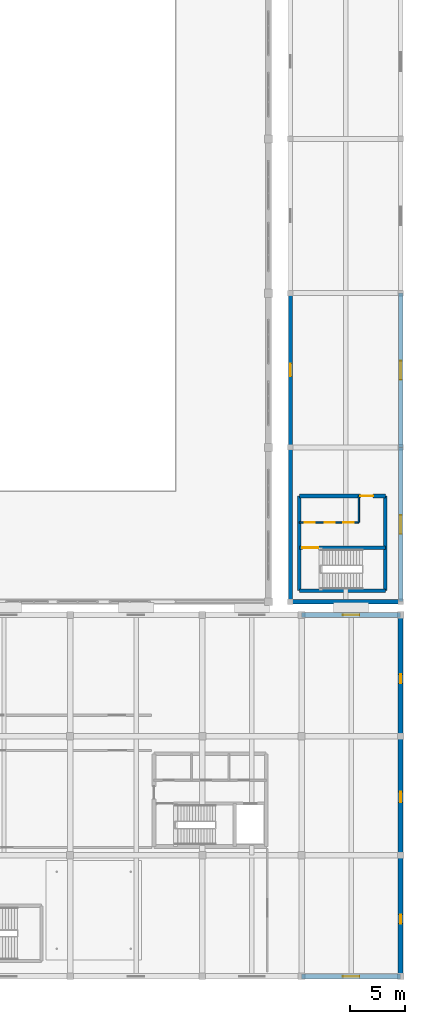
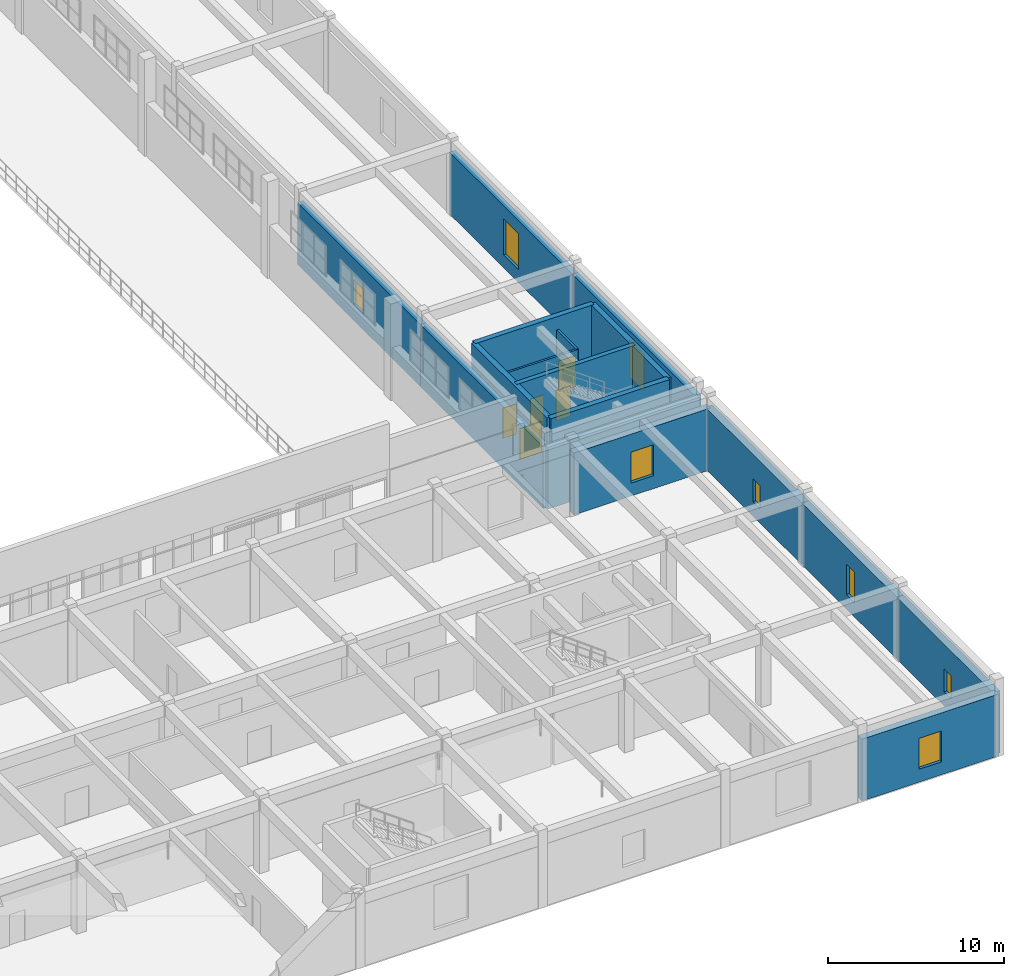
# One storey, part 178 of 197: 17 walls, 8 windows, 5 doors, 13 openings.
"""IFC4 building model written with IfcOpenShell, lengths in metres."""

from ifc_helpers import new_model, si_unit, derived_unit, direction, frame, frame_2d, origin, place, context, subcontext, project, spatial, rectangle, extrude, material, layer, layer_set, type_object, element, fill, save


model = new_model("IFC4")

# Units and contexts
model_context = context("Model", 3, precision=1e-05, world=origin(), true_north=direction((0.0, 1.0)))
body_context = subcontext(model_context, "Body", "Model", "MODEL_VIEW")
ifc_project = project(units=[si_unit("LENGTHUNIT", "METRE"), si_unit("AREAUNIT", "SQUARE_METRE"), si_unit("VOLUMEUNIT", "CUBIC_METRE"), si_unit("PLANEANGLEUNIT", "RADIAN"), si_unit("MASSUNIT", "GRAM", prefix="KILO"), derived_unit("THERMALTRANSMITTANCEUNIT", [(si_unit("POWERUNIT", "WATT"), 1), (si_unit("LENGTHUNIT", "METRE"), -2), (si_unit("THERMODYNAMICTEMPERATUREUNIT", "KELVIN"), -1)])], contexts=[model_context])

# Site, building, storey
site_placement = place(None, origin())
site = spatial("IfcSite", under=ifc_project, at=site_placement, CompositionType="ELEMENT")
building_placement = place(site_placement, origin())
building = spatial("IfcBuilding", under=site, at=building_placement, Name="Almenara Railside Exhibition Hall", CompositionType="ELEMENT")
storey_placement = place(building_placement, frame((0.0, 0.0, 5.39990234375)))
storey = spatial("IfcBuildingStorey", under=building, at=storey_placement, Name="L01", CompositionType="ELEMENT", Elevation=5.39990234375)

# Wall
ifc_material_1 = material(Name="Concrete C35/45", Category="concrete")
ifc_layer_1 = layer(ifc_material_1, 0.35009765625, Name="Concrete C35/45")
ifc_layer_set_1 = layer_set([ifc_layer_1], Name="Concrete C35/45")
wall_type_1 = type_object("IfcWallType", Name="Core Coupled Shear Wall 350mm C35/45", PredefinedType="SHEAR", material=ifc_layer_set_1)
wall_1_placement = place(storey_placement, frame((194.800048828125, 35.0, 0.0), z_axis=(0.0, 0.0, 1.0), x_axis=(1.0, 0.0, 0.0)))
element("IfcWall", 1, at=wall_1_placement, inside=storey, type_object=wall_type_1, Name="Interior wall 0251", PredefinedType="SHEAR", context=body_context, shape_type="SweptSolid", body=[
    extrude(rectangle(XDim=7.800048828125, YDim=0.35009765625, at=frame_2d((3.89990234375, 0.0))), origin(), (0.0, 0.0, 1.0), 5.400146484375),
])

# Wall, opening, door
wall_2_placement = place(storey_placement, frame((202.60009765625, 43.60009765625, 0.0), z_axis=(0.0, 0.0, 1.0), x_axis=(-1.0, 0.0, 0.0)))
wall_2 = element("IfcWall", 2, at=wall_2_placement, inside=storey, type_object=wall_type_1, Name="Interior wall 0252", PredefinedType="SHEAR", context=body_context, shape_type="SweptSolid", body=[
    extrude(rectangle(XDim=7.800048828125, YDim=0.35009765625, at=frame_2d((3.89990234375, 0.0))), origin(), (0.0, 0.0, 1.0), 5.400146484375),
])
opening_1_placement = place(wall_2_placement, frame((1.10009765625, 0.0, 0.0)))
opening_1 = element("IfcOpeningElement", 3, at=opening_1_placement, cuts=wall_2, Name="Opening FD-115", PredefinedType="OPENING", context=body_context, shape_type="SweptSolid", body=[
    extrude(rectangle(XDim=1.14990234375, YDim=2.14990234375, at=frame_2d((0.574951171875, 1.074951171875))), frame((0.0, 0.18505859375, 0.0), z_axis=(0.0, -1.0, 0.0), x_axis=(1.0, 0.0, 0.0)), (0.0, 0.0, 1.0), 0.3701171875),
])
ifc_material_2 = material(Name="Fire-rated iroko timber door", Category="wood")
door_type_1 = type_object("IfcDoorType", Name="Core Lobby Fire Door 1150x2150 EI60", OperationType="NOTDEFINED", PredefinedType="DOOR", material=ifc_material_2)
door_1_placement = place(opening_1_placement, origin())
door_1 = element("IfcDoor", 4, at=door_1_placement, inside=storey, type_object=door_type_1, Name="Interior door FD-115-168", OperationType="SINGLE_SWING_LEFT", OverallHeight=2.14990234375, OverallWidth=1.14990234375, PredefinedType="DOOR", context=body_context, shape_type="SweptSolid", body=[
    extrude(rectangle(XDim=1.14990234375, YDim=2.14990234375, at=frame_2d((0.574951171875, 1.074951171875))), frame((0.0, 0.02490234375, 0.0), z_axis=(0.0, -1.0, 0.0), x_axis=(1.0, 0.0, 0.0)), (0.0, 0.0, 1.0), 0.050048828125),
])
fill(opening_1, door_1)

# Walls
for number, where, z_axis, x_axis, name in (
    (5, (194.800048828125, 43.60009765625, 0.0), (0.0, 0.0, 1.0), (0.0, -1.0, 0.0), "Interior wall 0253"),
    (6, (202.60009765625, 35.0, 0.0), (0.0, 0.0, 1.0), (0.0, 1.0, 0.0), "Interior wall 0254"),
):
    element("IfcWall", number, at=place(storey_placement, frame(where, z_axis=z_axis, x_axis=x_axis)), inside=storey, type_object=wall_type_1, Name=name, PredefinedType="SHEAR", context=body_context, shape_type="SweptSolid", body=[
        extrude(rectangle(XDim=8.60009765625, YDim=0.35009765625, at=frame_2d((4.300048828125, 0.0))), origin(), (0.0, 0.0, 1.0), 5.400146484375),
    ])

# Wall, opening, window
ifc_material_3 = material(Name="Ochre-white lime-rendered masonry over Concrete C35/45", Category="masonry")
ifc_layer_2 = layer(ifc_material_3, 0.385009765625, Name="Ochre-white lime-rendered masonry over Concrete C35/45")
ifc_layer_set_2 = layer_set([ifc_layer_2], Name="Ochre-white lime-rendered masonry over Concrete C35/45")
wall_type_2 = type_object("IfcWallType", Name="Exterior Arcade Spandrel Wall 385mm C35/45", PredefinedType="SOLIDWALL", material=ifc_layer_set_2)
wall_3_placement = place(storey_placement, frame((204.0, 34.0, 0.0), z_axis=(0.0, 0.0, 1.0), x_axis=(0.0, 1.0, 0.0)))
wall_3 = element("IfcWall", 7, at=wall_3_placement, inside=storey, type_object=wall_type_2, Name="Exterior wall 0230", PredefinedType="SOLIDWALL", context=body_context, shape_type="SweptSolid", body=[
    extrude(rectangle(XDim=14.0, YDim=0.385009765625, at=frame_2d((7.0, 0.0))), origin(), (0.0, 0.0, 1.0), 4.300048828125),
])
opening_2_placement = place(wall_3_placement, frame((6.14990234375, 0.0, 0.89990234375)))
opening_2 = element("IfcOpeningElement", 8, at=opening_2_placement, cuts=wall_3, Name="Opening W-06", PredefinedType="OPENING", context=body_context, shape_type="SweptSolid", body=[
    extrude(rectangle(XDim=1.699951171875, YDim=2.5, at=frame_2d((0.85009765625, 1.25))), frame((0.0, 0.202392578125, 0.0), z_axis=(0.0, -1.0, 0.0), x_axis=(1.0, 0.0, 0.0)), (0.0, 0.0, 1.0), 0.405029296875),
])
ifc_material_4 = material(Name="Bronze-anodised aluminium and low-E double glazing", Category="aluminium")
window_type_1 = type_object("IfcWindowType", Name="East Gallery Arched Window 1700x2500", PartitioningType="DOUBLE_PANEL_VERTICAL", PredefinedType="WINDOW", material=ifc_material_4)
window_1_placement = place(opening_2_placement, origin())
window_1 = element("IfcWindow", 9, at=window_1_placement, inside=storey, type_object=window_type_1, Name="Window 0082", OverallHeight=2.5, OverallWidth=1.699951171875, PartitioningType="DOUBLE_PANEL_VERTICAL", PredefinedType="WINDOW", context=body_context, shape_type="SweptSolid", body=[
    extrude(rectangle(XDim=1.699951171875, YDim=2.5, at=frame_2d((0.85009765625, 1.25))), frame((0.0, 0.030029296875, 0.0), z_axis=(0.0, -1.0, 0.0), x_axis=(1.0, 0.0, 0.0)), (0.0, 0.0, 1.0), 0.06005859375),
])
fill(opening_2, window_1)

# Wall
wall_4_placement = place(storey_placement, frame((194.0, 48.0, 0.0), z_axis=(0.0, 0.0, 1.0), x_axis=(0.0, -1.0, 0.0)))
element("IfcWall", 10, at=wall_4_placement, inside=storey, type_object=wall_type_2, Name="Exterior wall 0231", PredefinedType="SOLIDWALL", context=body_context, shape_type="SweptSolid", body=[
    extrude(rectangle(XDim=14.0, YDim=0.385009765625, at=frame_2d((7.0, 0.0))), origin(), (0.0, 0.0, 1.0), 4.300048828125),
])

# Wall, opening, window
wall_5_placement = place(storey_placement, frame((204.0, 48.0, 0.0), z_axis=(0.0, 0.0, 1.0), x_axis=(0.0, 1.0, 0.0)))
wall_5 = element("IfcWall", 11, at=wall_5_placement, inside=storey, type_object=wall_type_2, Name="Exterior wall 0232", PredefinedType="SOLIDWALL", context=body_context, shape_type="SweptSolid", body=[
    extrude(rectangle(XDim=14.0, YDim=0.385009765625, at=frame_2d((7.0, 0.0))), origin(), (0.0, 0.0, 1.0), 4.300048828125),
])
opening_3_placement = place(wall_5_placement, frame((6.14990234375, 0.0, 0.89990234375)))
opening_3 = element("IfcOpeningElement", 12, at=opening_3_placement, cuts=wall_5, Name="Opening W-06", PredefinedType="OPENING", context=body_context, shape_type="SweptSolid", body=[
    extrude(rectangle(XDim=1.699951171875, YDim=2.5, at=frame_2d((0.85009765625, 1.25))), frame((0.0, 0.202392578125, 0.0), z_axis=(0.0, -1.0, 0.0), x_axis=(1.0, 0.0, 0.0)), (0.0, 0.0, 1.0), 0.405029296875),
])
window_2_placement = place(opening_3_placement, origin())
window_2 = element("IfcWindow", 13, at=window_2_placement, inside=storey, type_object=window_type_1, Name="Window 0083", OverallHeight=2.5, OverallWidth=1.699951171875, PartitioningType="DOUBLE_PANEL_VERTICAL", PredefinedType="WINDOW", context=body_context, shape_type="SweptSolid", body=[
    extrude(rectangle(XDim=1.699951171875, YDim=2.5, at=frame_2d((0.85009765625, 1.25))), frame((0.0, 0.030029296875, 0.0), z_axis=(0.0, -1.0, 0.0), x_axis=(1.0, 0.0, 0.0)), (0.0, 0.0, 1.0), 0.06005859375),
])
fill(opening_3, window_2)

wall_6_placement = place(storey_placement, frame((194.0, 62.0, 0.0), z_axis=(0.0, 0.0, 1.0), x_axis=(0.0, -1.0, 0.0)))
wall_6 = element("IfcWall", 14, at=wall_6_placement, inside=storey, type_object=wall_type_2, Name="Exterior wall 0233", PredefinedType="SOLIDWALL", context=body_context, shape_type="SweptSolid", body=[
    extrude(rectangle(XDim=14.0, YDim=0.385009765625, at=frame_2d((7.0, 0.0))), origin(), (0.0, 0.0, 1.0), 4.300048828125),
])
opening_4_placement = place(wall_6_placement, frame((6.39990234375, 0.0, 1.10009765625)))
opening_4 = element("IfcOpeningElement", 15, at=opening_4_placement, cuts=wall_6, Name="Opening W-11", PredefinedType="OPENING", context=body_context, shape_type="SweptSolid", body=[
    extrude(rectangle(XDim=1.14990234375, YDim=1.699951171875, at=frame_2d((0.574951171875, 0.85009765625))), frame((0.0, 0.202392578125, 0.0), z_axis=(0.0, -1.0, 0.0), x_axis=(1.0, 0.0, 0.0)), (0.0, 0.0, 1.0), 0.405029296875),
])
window_type_2 = type_object("IfcWindowType", Name="South Gallery Punched Window 1150x1700", PartitioningType="SINGLE_PANEL", PredefinedType="WINDOW", material=ifc_material_4)
window_3_placement = place(opening_4_placement, origin())
window_3 = element("IfcWindow", 16, at=window_3_placement, inside=storey, type_object=window_type_2, Name="Window 0084", OverallHeight=1.699951171875, OverallWidth=1.14990234375, PartitioningType="SINGLE_PANEL", PredefinedType="WINDOW", context=body_context, shape_type="SweptSolid", body=[
    extrude(rectangle(XDim=1.14990234375, YDim=1.699951171875, at=frame_2d((0.574951171875, 0.85009765625))), frame((0.0, 0.030029296875, 0.0), z_axis=(0.0, -1.0, 0.0), x_axis=(1.0, 0.0, 0.0)), (0.0, 0.0, 1.0), 0.06005859375),
])
fill(opening_4, window_3)

# Wall
wall_7_placement = place(storey_placement, frame((194.0, 34.0, 0.0), z_axis=(0.0, 0.0, 1.0), x_axis=(1.0, 0.0, 0.0)))
element("IfcWall", 17, at=wall_7_placement, inside=storey, type_object=wall_type_2, Name="Exterior wall 0242", PredefinedType="SOLIDWALL", context=body_context, shape_type="SweptSolid", body=[
    extrude(rectangle(XDim=10.0, YDim=0.385009765625, at=frame_2d((5.0, 0.0))), origin(), (0.0, 0.0, 1.0), 4.300048828125),
])

# Wall, opening, window
ifc_layer_3 = layer(ifc_material_3, 0.449951171875, Name="Ochre-white lime-rendered masonry over Concrete C35/45")
ifc_layer_set_3 = layer_set([ifc_layer_3], Name="Ochre-white lime-rendered masonry over Concrete C35/45")
wall_type_3 = type_object("IfcWallType", Name="Exterior Civic Stucco Wall 450mm C35/45", PredefinedType="SOLIDWALL", material=ifc_layer_set_3)
wall_8_placement = place(storey_placement, frame((195.0, 0.0, 0.0), z_axis=(0.0, 0.0, 1.0), x_axis=(1.0, 0.0, 0.0)))
wall_8 = element("IfcWall", 18, at=wall_8_placement, inside=storey, type_object=wall_type_3, Name="Exterior wall 0222", PredefinedType="SOLIDWALL", context=body_context, shape_type="SweptSolid", body=[
    extrude(rectangle(XDim=9.0, YDim=0.449951171875, at=frame_2d((4.5, 0.0))), origin(), (0.0, 0.0, 1.0), 4.300048828125),
])
opening_5_placement = place(wall_8_placement, frame((3.75, 0.0, 0.89990234375)))
opening_5 = element("IfcOpeningElement", 19, at=opening_5_placement, cuts=wall_8, Name="Opening W-08", PredefinedType="OPENING", context=body_context, shape_type="SweptSolid", body=[
    extrude(rectangle(XDim=1.5, YDim=2.14990234375, at=frame_2d((0.75, 1.074951171875))), frame((0.0, 0.23486328125, 0.0), z_axis=(0.0, -1.0, 0.0), x_axis=(1.0, 0.0, 0.0)), (0.0, 0.0, 1.0), 0.469970703125),
])
window_type_3 = type_object("IfcWindowType", Name="Seminar Deep-Reveal Window 1500x2150", PartitioningType="DOUBLE_PANEL_VERTICAL", PredefinedType="WINDOW", material=ifc_material_4)
window_4_placement = place(opening_5_placement, origin())
window_4 = element("IfcWindow", 20, at=window_4_placement, inside=storey, type_object=window_type_3, Name="Window 0077", OverallHeight=2.14990234375, OverallWidth=1.5, PartitioningType="DOUBLE_PANEL_VERTICAL", PredefinedType="WINDOW", context=body_context, shape_type="SweptSolid", body=[
    extrude(rectangle(XDim=1.5, YDim=2.14990234375, at=frame_2d((0.75, 1.074951171875))), frame((0.0, 0.030029296875, 0.0), z_axis=(0.0, -1.0, 0.0), x_axis=(1.0, 0.0, 0.0)), (0.0, 0.0, 1.0), 0.06005859375),
])
fill(opening_5, window_4)

wall_9_placement = place(storey_placement, frame((204.0, 32.800048828125, 0.0), z_axis=(0.0, 0.0, 1.0), x_axis=(-1.0, 0.0, 0.0)))
wall_9 = element("IfcWall", 21, at=wall_9_placement, inside=storey, type_object=wall_type_3, Name="Exterior wall 0223", PredefinedType="SOLIDWALL", context=body_context, shape_type="SweptSolid", body=[
    extrude(rectangle(XDim=9.0, YDim=0.449951171875, at=frame_2d((4.5, 0.0))), origin(), (0.0, 0.0, 1.0), 4.300048828125),
])
opening_6_placement = place(wall_9_placement, frame((3.75, 0.0, 0.89990234375)))
opening_6 = element("IfcOpeningElement", 22, at=opening_6_placement, cuts=wall_9, Name="Opening W-08", PredefinedType="OPENING", context=body_context, shape_type="SweptSolid", body=[
    extrude(rectangle(XDim=1.5, YDim=2.14990234375, at=frame_2d((0.75, 1.074951171875))), frame((0.0, 0.23486328125, 0.0), z_axis=(0.0, -1.0, 0.0), x_axis=(1.0, 0.0, 0.0)), (0.0, 0.0, 1.0), 0.469970703125),
])
window_5_placement = place(opening_6_placement, origin())
window_5 = element("IfcWindow", 23, at=window_5_placement, inside=storey, type_object=window_type_3, Name="Window 0078", OverallHeight=2.14990234375, OverallWidth=1.5, PartitioningType="DOUBLE_PANEL_VERTICAL", PredefinedType="WINDOW", context=body_context, shape_type="SweptSolid", body=[
    extrude(rectangle(XDim=1.5, YDim=2.14990234375, at=frame_2d((0.75, 1.074951171875))), frame((0.0, 0.030029296875, 0.0), z_axis=(0.0, -1.0, 0.0), x_axis=(1.0, 0.0, 0.0)), (0.0, 0.0, 1.0), 0.06005859375),
])
fill(opening_6, window_5)

wall_10_placement = place(storey_placement, frame((204.0, 0.0, 0.0), z_axis=(0.0, 0.0, 1.0), x_axis=(0.0, 1.0, 0.0)))
wall_10 = element("IfcWall", 24, at=wall_10_placement, inside=storey, type_object=wall_type_3, Name="Exterior wall 0224", PredefinedType="SOLIDWALL", context=body_context, shape_type="SweptSolid", body=[
    extrude(rectangle(XDim=11.0, YDim=0.449951171875, at=frame_2d((5.5, 0.0))), origin(), (0.0, 0.0, 1.0), 4.300048828125),
])
opening_7_placement = place(wall_10_placement, frame((4.800048828125, 0.0, 1.0)))
opening_7 = element("IfcOpeningElement", 25, at=opening_7_placement, cuts=wall_10, Name="Opening W-13", PredefinedType="OPENING", context=body_context, shape_type="SweptSolid", body=[
    extrude(rectangle(XDim=0.800048828125, YDim=1.60009765625, at=frame_2d((0.39990234375, 0.800048828125))), frame((0.0, 0.23486328125, 0.0), z_axis=(0.0, -1.0, 0.0), x_axis=(1.0, 0.0, 0.0)), (0.0, 0.0, 1.0), 0.469970703125),
])
window_type_4 = type_object("IfcWindowType", Name="Service Core Slot Window 800x1600", PartitioningType="SINGLE_PANEL", PredefinedType="WINDOW", material=ifc_material_4)
window_6_placement = place(opening_7_placement, origin())
window_6 = element("IfcWindow", 26, at=window_6_placement, inside=storey, type_object=window_type_4, Name="Window 0079", OverallHeight=1.60009765625, OverallWidth=0.800048828125, PartitioningType="SINGLE_PANEL", PredefinedType="WINDOW", context=body_context, shape_type="SweptSolid", body=[
    extrude(rectangle(XDim=0.800048828125, YDim=1.60009765625, at=frame_2d((0.39990234375, 0.800048828125))), frame((0.0, 0.030029296875, 0.0), z_axis=(0.0, -1.0, 0.0), x_axis=(1.0, 0.0, 0.0)), (0.0, 0.0, 1.0), 0.06005859375),
])
fill(opening_7, window_6)

wall_11_placement = place(storey_placement, frame((204.0, 11.0, 0.0), z_axis=(0.0, 0.0, 1.0), x_axis=(0.0, 1.0, 0.0)))
wall_11 = element("IfcWall", 27, at=wall_11_placement, inside=storey, type_object=wall_type_3, Name="Exterior wall 0226", PredefinedType="SOLIDWALL", context=body_context, shape_type="SweptSolid", body=[
    extrude(rectangle(XDim=10.800048828125, YDim=0.449951171875, at=frame_2d((5.39990234375, 0.0))), origin(), (0.0, 0.0, 1.0), 4.300048828125),
])
opening_8_placement = place(wall_11_placement, frame((4.800048828125, 0.0, 1.0)))
opening_8 = element("IfcOpeningElement", 28, at=opening_8_placement, cuts=wall_11, Name="Opening W-12", PredefinedType="OPENING", context=body_context, shape_type="SweptSolid", body=[
    extrude(rectangle(XDim=0.949951171875, YDim=2.10009765625, at=frame_2d((0.47509765625, 1.050048828125))), frame((0.0, 0.23486328125, 0.0), z_axis=(0.0, -1.0, 0.0), x_axis=(1.0, 0.0, 0.0)), (0.0, 0.0, 1.0), 0.469970703125),
])
window_type_5 = type_object("IfcWindowType", Name="Stair Core Daylight Window 950x2100", PartitioningType="SINGLE_PANEL", PredefinedType="WINDOW", material=ifc_material_4)
window_7_placement = place(opening_8_placement, origin())
window_7 = element("IfcWindow", 29, at=window_7_placement, inside=storey, type_object=window_type_5, Name="Window 0080", OverallHeight=2.10009765625, OverallWidth=0.949951171875, PartitioningType="SINGLE_PANEL", PredefinedType="WINDOW", context=body_context, shape_type="SweptSolid", body=[
    extrude(rectangle(XDim=0.949951171875, YDim=2.10009765625, at=frame_2d((0.47509765625, 1.050048828125))), frame((0.0, 0.030029296875, 0.0), z_axis=(0.0, -1.0, 0.0), x_axis=(1.0, 0.0, 0.0)), (0.0, 0.0, 1.0), 0.06005859375),
])
fill(opening_8, window_7)

wall_12_placement = place(storey_placement, frame((204.0, 21.800048828125, 0.0), z_axis=(0.0, 0.0, 1.0), x_axis=(0.0, 1.0, 0.0)))
wall_12 = element("IfcWall", 30, at=wall_12_placement, inside=storey, type_object=wall_type_3, Name="Exterior wall 0228", PredefinedType="SOLIDWALL", context=body_context, shape_type="SweptSolid", body=[
    extrude(rectangle(XDim=11.0, YDim=0.449951171875, at=frame_2d((5.5, 0.0))), origin(), (0.0, 0.0, 1.0), 4.300048828125),
])
opening_9_placement = place(wall_12_placement, frame((4.800048828125, 0.0, 1.0)))
opening_9 = element("IfcOpeningElement", 31, at=opening_9_placement, cuts=wall_12, Name="Opening W-13", PredefinedType="OPENING", context=body_context, shape_type="SweptSolid", body=[
    extrude(rectangle(XDim=0.800048828125, YDim=1.60009765625, at=frame_2d((0.39990234375, 0.800048828125))), frame((0.0, 0.23486328125, 0.0), z_axis=(0.0, -1.0, 0.0), x_axis=(1.0, 0.0, 0.0)), (0.0, 0.0, 1.0), 0.469970703125),
])
window_8_placement = place(opening_9_placement, origin())
window_8 = element("IfcWindow", 32, at=window_8_placement, inside=storey, type_object=window_type_4, Name="Window 0081", OverallHeight=1.60009765625, OverallWidth=0.800048828125, PartitioningType="SINGLE_PANEL", PredefinedType="WINDOW", context=body_context, shape_type="SweptSolid", body=[
    extrude(rectangle(XDim=0.800048828125, YDim=1.60009765625, at=frame_2d((0.39990234375, 0.800048828125))), frame((0.0, 0.030029296875, 0.0), z_axis=(0.0, -1.0, 0.0), x_axis=(1.0, 0.0, 0.0)), (0.0, 0.0, 1.0), 0.06005859375),
])
fill(opening_9, window_8)

# Wall, openings, doors
ifc_material_5 = material(Name="Moisture-resistant tiled masonry partition", Category="masonry")
ifc_layer_4 = layer(ifc_material_5, 0.139892578125, Name="Moisture-resistant tiled masonry partition")
ifc_layer_set_4 = layer_set([ifc_layer_4], Name="Moisture-resistant tiled masonry partition")
wall_type_4 = type_object("IfcWallType", Name="Sanitary Wet-Wall Partition 140mm", PredefinedType="PARTITIONING", material=ifc_layer_set_4)
wall_13_placement = place(storey_placement, frame((194.800048828125, 41.199951171875, 0.0), z_axis=(0.0, 0.0, 1.0), x_axis=(1.0, 0.0, 0.0)))
wall_13 = element("IfcWall", 33, at=wall_13_placement, inside=storey, type_object=wall_type_4, Name="Interior wall 0256", PredefinedType="PARTITIONING", context=body_context, shape_type="SweptSolid", body=[
    extrude(rectangle(XDim=5.39990234375, YDim=0.139892578125, at=frame_2d((2.699951171875, 0.0))), origin(), (0.0, 0.0, 1.0), 4.5),
])
opening_10_placement = place(wall_13_placement, frame((0.5, 0.0, 0.0)))
opening_10 = element("IfcOpeningElement", 34, at=opening_10_placement, cuts=wall_13, Name="Opening ID-09", PredefinedType="OPENING", context=body_context, shape_type="SweptSolid", body=[
    extrude(rectangle(XDim=0.89990234375, YDim=2.10009765625, at=frame_2d((0.449951171875, 1.050048828125))), frame((0.0, 0.079833984375, 0.0), z_axis=(0.0, -1.0, 0.0), x_axis=(1.0, 0.0, 0.0)), (0.0, 0.0, 1.0), 0.159912109375),
])
opening_11_placement = place(wall_13_placement, frame((2.300048828125, 0.0, 0.0)))
opening_11 = element("IfcOpeningElement", 35, at=opening_11_placement, cuts=wall_13, Name="Opening ID-09", PredefinedType="OPENING", context=body_context, shape_type="SweptSolid", body=[
    extrude(rectangle(XDim=0.89990234375, YDim=2.10009765625, at=frame_2d((0.449951171875, 1.050048828125))), frame((0.0, 0.079833984375, 0.0), z_axis=(0.0, -1.0, 0.0), x_axis=(1.0, 0.0, 0.0)), (0.0, 0.0, 1.0), 0.159912109375),
])
opening_12_placement = place(wall_13_placement, frame((4.0, 0.0, 0.0)))
opening_12 = element("IfcOpeningElement", 36, at=opening_12_placement, cuts=wall_13, Name="Opening ID-095", PredefinedType="OPENING", context=body_context, shape_type="SweptSolid", body=[
    extrude(rectangle(XDim=0.949951171875, YDim=2.10009765625, at=frame_2d((0.47509765625, 1.050048828125))), frame((0.0, 0.079833984375, 0.0), z_axis=(0.0, -1.0, 0.0), x_axis=(1.0, 0.0, 0.0)), (0.0, 0.0, 1.0), 0.159912109375),
])
ifc_material_6 = material(Name="Moisture-resistant hardwood door", Category="wood")
door_type_2 = type_object("IfcDoorType", Name="Accessible Toilet Door 950x2100", OperationType="NOTDEFINED", PredefinedType="DOOR", material=ifc_material_6)
door_2_placement = place(opening_12_placement, origin())
door_2 = element("IfcDoor", 37, at=door_2_placement, inside=storey, type_object=door_type_2, Name="Interior door ID-095-172", OperationType="SINGLE_SWING_RIGHT", OverallHeight=2.10009765625, OverallWidth=0.949951171875, PredefinedType="DOOR", context=body_context, shape_type="SweptSolid", body=[
    extrude(rectangle(XDim=0.949951171875, YDim=2.10009765625, at=frame_2d((0.47509765625, 1.050048828125))), frame((0.0, 0.02490234375, 0.0), z_axis=(0.0, -1.0, 0.0), x_axis=(1.0, 0.0, 0.0)), (0.0, 0.0, 1.0), 0.050048828125),
])
fill(opening_12, door_2)
door_type_3 = type_object("IfcDoorType", Name="Sanitary Lobby Single Door 900x2100", OperationType="NOTDEFINED", PredefinedType="DOOR", material=ifc_material_6)
door_3_placement = place(opening_10_placement, origin())
door_3 = element("IfcDoor", 38, at=door_3_placement, inside=storey, type_object=door_type_3, Name="Interior door ID-09-170", OperationType="SINGLE_SWING_RIGHT", OverallHeight=2.10009765625, OverallWidth=0.89990234375, PredefinedType="DOOR", context=body_context, shape_type="SweptSolid", body=[
    extrude(rectangle(XDim=0.89990234375, YDim=2.10009765625, at=frame_2d((0.449951171875, 1.050048828125))), frame((0.0, 0.02490234375, 0.0), z_axis=(0.0, -1.0, 0.0), x_axis=(1.0, 0.0, 0.0)), (0.0, 0.0, 1.0), 0.050048828125),
])
fill(opening_10, door_3)
door_4_placement = place(opening_11_placement, origin())
door_4 = element("IfcDoor", 39, at=door_4_placement, inside=storey, type_object=door_type_3, Name="Interior door ID-09-171", OperationType="SINGLE_SWING_LEFT", OverallHeight=2.10009765625, OverallWidth=0.89990234375, PredefinedType="DOOR", context=body_context, shape_type="SweptSolid", body=[
    extrude(rectangle(XDim=0.89990234375, YDim=2.10009765625, at=frame_2d((0.449951171875, 1.050048828125))), frame((0.0, 0.02490234375, 0.0), z_axis=(0.0, -1.0, 0.0), x_axis=(1.0, 0.0, 0.0)), (0.0, 0.0, 1.0), 0.050048828125),
])
fill(opening_11, door_4)

# Wall
wall_14_placement = place(storey_placement, frame((200.199951171875, 41.199951171875, 0.0), z_axis=(0.0, 0.0, 1.0), x_axis=(0.0, 1.0, 0.0)))
element("IfcWall", 40, at=wall_14_placement, inside=storey, type_object=wall_type_4, Name="Interior wall 0257", PredefinedType="PARTITIONING", context=body_context, shape_type="SweptSolid", body=[
    extrude(rectangle(XDim=2.400146484375, YDim=0.139892578125, at=frame_2d((1.2001953125, 0.0))), origin(), (0.0, 0.0, 1.0), 4.5),
])

# Wall, opening, door
ifc_layer_5 = layer(ifc_material_1, 0.300048828125, Name="Concrete C35/45")
ifc_layer_set_5 = layer_set([ifc_layer_5], Name="Concrete C35/45")
wall_type_5 = type_object("IfcWallType", Name="Stair and Lift Shaft Wall 300mm C35/45", PredefinedType="SHEAR", material=ifc_layer_set_5)
wall_15_placement = place(storey_placement, frame((194.800048828125, 38.89990234375, 0.0), z_axis=(0.0, 0.0, 1.0), x_axis=(1.0, 0.0, 0.0)))
wall_15 = element("IfcWall", 41, at=wall_15_placement, inside=storey, type_object=wall_type_5, Name="Interior wall 0255", PredefinedType="SHEAR", context=body_context, shape_type="SweptSolid", body=[
    extrude(rectangle(XDim=7.800048828125, YDim=0.300048828125, at=frame_2d((3.89990234375, 0.0))), origin(), (0.0, 0.0, 1.0), 5.400146484375),
])
opening_13_placement = place(wall_15_placement, frame((0.280029296875, 0.0, 0.0)))
opening_13 = element("IfcOpeningElement", 42, at=opening_13_placement, cuts=wall_15, Name="Opening FD-145", PredefinedType="OPENING", context=body_context, shape_type="SweptSolid", body=[
    extrude(rectangle(XDim=1.449951171875, YDim=2.14990234375, at=frame_2d((0.72509765625, 1.074951171875))), frame((0.0, 0.159912109375, 0.0), z_axis=(0.0, -1.0, 0.0), x_axis=(1.0, 0.0, 0.0)), (0.0, 0.0, 1.0), 0.320068359375),
])
ifc_material_7 = material(Name="Steel-framed fire-rated timber door", Category="steel")
door_type_4 = type_object("IfcDoorType", Name="Fire Escape Stair Door 1450x2150 EI60", OperationType="NOTDEFINED", PredefinedType="DOOR", material=ifc_material_7)
door_5_placement = place(opening_13_placement, origin())
door_5 = element("IfcDoor", 43, at=door_5_placement, inside=storey, type_object=door_type_4, Name="Interior door FD-145-169", OperationType="DOUBLE_DOOR_SINGLE_SWING", OverallHeight=2.14990234375, OverallWidth=1.449951171875, PredefinedType="DOOR", context=body_context, shape_type="SweptSolid", body=[
    extrude(rectangle(XDim=1.449951171875, YDim=2.14990234375, at=frame_2d((0.72509765625, 1.074951171875))), frame((0.0, 0.02490234375, 0.0), z_axis=(0.0, -1.0, 0.0), x_axis=(1.0, 0.0, 0.0)), (0.0, 0.0, 1.0), 0.050048828125),
])
fill(opening_13, door_5)

save(model, "model.ifc")
